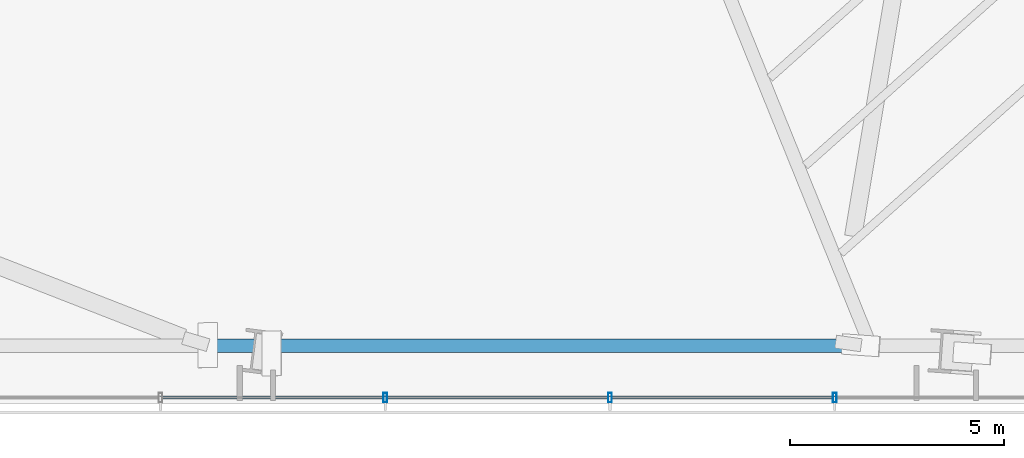
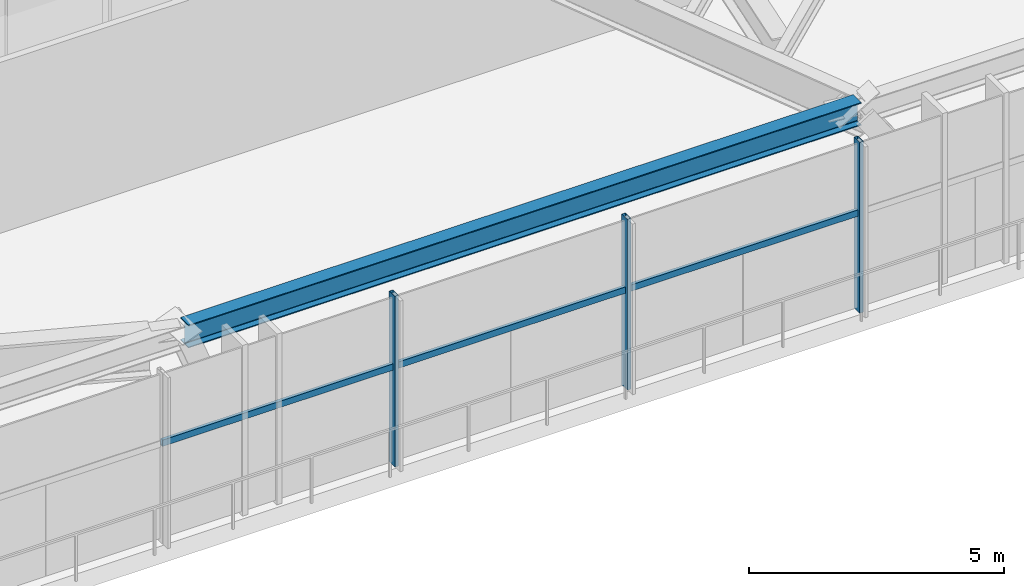
# One storey, part 13 of 30: 6 members, 1 beam, 1 element without a shape of its own.
"""IFC4 building model written with IfcOpenShell, lengths in metres."""

from ifc_helpers import new_model, si_unit, direction, frame, origin, origin_2d, place, context, subcontext, project, spatial, hollow_rectangle, i_section, extrude, source, transform, mapped, material, material_profile, profile_set, type_object, type_shapes, element, aggregate, save


model = new_model("IFC4")

# Units and contexts
model_context = context("Model", 3, precision=1e-05, world=origin(), true_north=direction((0.0, 1.0)))
body_context = subcontext(model_context, "Body", "Model", "MODEL_VIEW")
ifc_project = project(units=[si_unit("LENGTHUNIT", "METRE"), si_unit("AREAUNIT", "SQUARE_METRE"), si_unit("VOLUMEUNIT", "CUBIC_METRE"), si_unit("PLANEANGLEUNIT", "RADIAN"), si_unit("MASSUNIT", "GRAM", prefix="KILO")], contexts=[model_context])

# Site, building, storey
site_placement = place(None, origin())
site = spatial("IfcSite", under=ifc_project, at=site_placement, CompositionType="ELEMENT")
building_placement = place(site_placement, origin())
building = spatial("IfcBuilding", under=site, at=building_placement, Name="Astriad Promenade Condominiums", CompositionType="ELEMENT")
storey_placement = place(building_placement, frame((0.0, 0.0, 14.0)))
storey = spatial("IfcBuildingStorey", under=building, at=storey_placement, Name="L03", CompositionType="ELEMENT", Elevation=14.0)

# Beam
ifc_material_1 = material(Name="Steel ASTM A992 Grade 50", Category="steel")
ifc_material_profile_1 = material_profile(ifc_material_1, i_section(OverallWidth=0.3134765625, OverallDepth=0.54638671875, WebThickness=0.013916015625, FlangeThickness=0.022216796875, FilletRadius=0.0166015625, at=origin_2d()), Name="W21X111")
ifc_profile_set_1 = profile_set([ifc_material_profile_1], Name="Steel ASTM A992 Grade 50")
beam_type = type_object("IfcBeamType", Name="STEEL SPANDREL BEAM W21X111", PredefinedType="SPANDREL", material=ifc_profile_set_1)
shared_shape_1 = source(origin(), body_context, "Body", "SweptSolid", [
    extrude(i_section(OverallWidth=0.3134765625, OverallDepth=0.54638671875, WebThickness=0.013916015625, FlangeThickness=0.022216796875, FilletRadius=0.0166015625, at=origin_2d()), origin(), (0.0, 0.0, 1.0), 15.212158203125),
])
type_shapes(beam_type, [shared_shape_1])
beam_placement = place(storey_placement, frame((36.143798828125, 2.7666015625, 3.806884765625), z_axis=(1.0, 0.0, 0.0), x_axis=(0.0, 1.0, 0.0)))
element("IfcBeam", 1, at=beam_placement, inside=storey, type_object=beam_type, Name="Perimeter Spandrel Beam SP-S3-L03", PredefinedType="SPANDREL", context=body_context, shape_type="MappedRepresentation", body=[
    mapped(shared_shape_1, transform((0.0, 0.0, 0.0), scale=1.0)),
])

# Curtain wall, members
ifc_material_2 = material(Name="Anodised aluminium Black Dark Glass Unitised", Category="aluminium")
curtain_wall_type = type_object("IfcCurtainWallType", Name="CW-POD-DARK", PredefinedType="USERDEFINED", material=ifc_material_2)
curtain_wall_placement = place(storey_placement, origin())
curtain_wall = element("IfcCurtainWall", 2, at=curtain_wall_placement, inside=storey, type_object=curtain_wall_type, Name="CW-L03-S", ObjectType="UNITISED_CURTAIN_WALL", PredefinedType="USERDEFINED")
ifc_material_3 = material(Name="Anodised aluminium 6063-T6 Black", Category="aluminium")
ifc_material_profile_2 = material_profile(ifc_material_3, hollow_rectangle(XDim=0.0849609375, YDim=0.219970703125, WallThickness=0.0048828125, at=origin_2d()), Name="ALU-MUL-85X220")
ifc_profile_set_2 = profile_set([ifc_material_profile_2], Name="Anodised aluminium 6063-T6 Black")
member_type_1 = type_object("IfcMemberType", Name="MUL-ALU-MUL-85X220", PredefinedType="MULLION", material=ifc_profile_set_2)
shared_shape_2 = source(origin(), body_context, "Body", "SweptSolid", [
    extrude(hollow_rectangle(XDim=0.0849609375, YDim=0.219970703125, WallThickness=0.0048828125, at=origin_2d()), origin(), (0.0, 0.0, 1.0), 4.080078125),
])
type_shapes(member_type_1, [shared_shape_2])
member_1_placement = place(storey_placement, frame((50.686279296875, 1.550048828125, 0.0), z_axis=(0.0, 0.0, 1.0), x_axis=(1.0, 0.0, 0.0)))
member_1 = element("IfcMember", 3, at=member_1_placement, type_object=member_type_1, Name="CW-L03-S-MUL-03", PredefinedType="MULLION", context=body_context, shape_type="MappedRepresentation", body=[
    mapped(shared_shape_2, transform((0.0, 0.0, 0.0), scale=1.0)),
])
member_2_placement = place(storey_placement, frame((45.431884765625, 1.550048828125, 0.0), z_axis=(0.0, 0.0, 1.0), x_axis=(1.0, 0.0, 0.0)))
member_2 = element("IfcMember", 4, at=member_2_placement, type_object=member_type_1, Name="CW-L03-S-MUL-04", PredefinedType="MULLION", context=body_context, shape_type="MappedRepresentation", body=[
    mapped(shared_shape_2, transform((0.0, 0.0, 0.0), scale=1.0)),
])
member_3_placement = place(storey_placement, frame((40.17724609375, 1.550048828125, 0.0), z_axis=(0.0, 0.0, 1.0), x_axis=(1.0, 0.0, 0.0)))
member_3 = element("IfcMember", 5, at=member_3_placement, type_object=member_type_1, Name="CW-L03-S-MUL-05", PredefinedType="MULLION", context=body_context, shape_type="MappedRepresentation", body=[
    mapped(shared_shape_2, transform((0.0, 0.0, 0.0), scale=1.0)),
])
ifc_material_profile_3 = material_profile(ifc_material_3, hollow_rectangle(XDim=0.074951171875, YDim=0.14990234375, WallThickness=0.004150390625, at=origin_2d()), Name="ALU-TRN-75X150")
ifc_profile_set_3 = profile_set([ifc_material_profile_3], Name="Anodised aluminium 6063-T6 Black")
member_type_2 = type_object("IfcMemberType", Name="TRN-ALU-TRN-75X150", PredefinedType="USERDEFINED", material=ifc_profile_set_3)
shared_shape_3 = source(origin(), body_context, "Body", "SweptSolid", [
    extrude(hollow_rectangle(XDim=0.074951171875, YDim=0.14990234375, WallThickness=0.004150390625, at=origin_2d()), origin(), (0.0, 0.0, 1.0), 5.25439453125),
])
member_4_placement = place(storey_placement, frame((50.686279296875, 1.550048828125, 2.35009765625), z_axis=(-1.0, 0.0, 0.0), x_axis=(0.0, -1.0, 0.0)))
member_4 = element("IfcMember", 6, at=member_4_placement, type_object=member_type_2, Name="CW-L03-S-TRN-03-0", ObjectType="TRANSOM", PredefinedType="USERDEFINED", context=body_context, shape_type="MappedRepresentation", body=[
    mapped(shared_shape_3, transform((0.0, 0.0, 0.0), scale=1.0)),
])
shared_shape_4 = source(origin(), body_context, "Body", "SweptSolid", [
    extrude(hollow_rectangle(XDim=0.074951171875, YDim=0.14990234375, WallThickness=0.004150390625, at=origin_2d()), origin(), (0.0, 0.0, 1.0), 5.254638671875),
])
type_shapes(member_type_2, [shared_shape_3, shared_shape_4])
member_5_placement = place(storey_placement, frame((45.431884765625, 1.550048828125, 2.35009765625), z_axis=(-1.0, 0.0, 0.0), x_axis=(0.0, -1.0, 0.0)))
member_5 = element("IfcMember", 7, at=member_5_placement, type_object=member_type_2, Name="CW-L03-S-TRN-04-0", ObjectType="TRANSOM", PredefinedType="USERDEFINED", context=body_context, shape_type="MappedRepresentation", body=[
    mapped(shared_shape_4, transform((0.0, 0.0, 0.0), scale=1.0)),
])
member_6_placement = place(storey_placement, frame((40.17724609375, 1.550048828125, 2.35009765625), z_axis=(-1.0, 0.0, 0.0), x_axis=(0.0, -1.0, 0.0)))
member_6 = element("IfcMember", 8, at=member_6_placement, type_object=member_type_2, Name="CW-L03-S-TRN-05-0", ObjectType="TRANSOM", PredefinedType="USERDEFINED", context=body_context, shape_type="MappedRepresentation", body=[
    mapped(shared_shape_4, transform((0.0, 0.0, 0.0), scale=1.0)),
])
aggregate(curtain_wall, [member_1, member_2, member_3, member_4, member_5, member_6])

save(model, "model.ifc")
